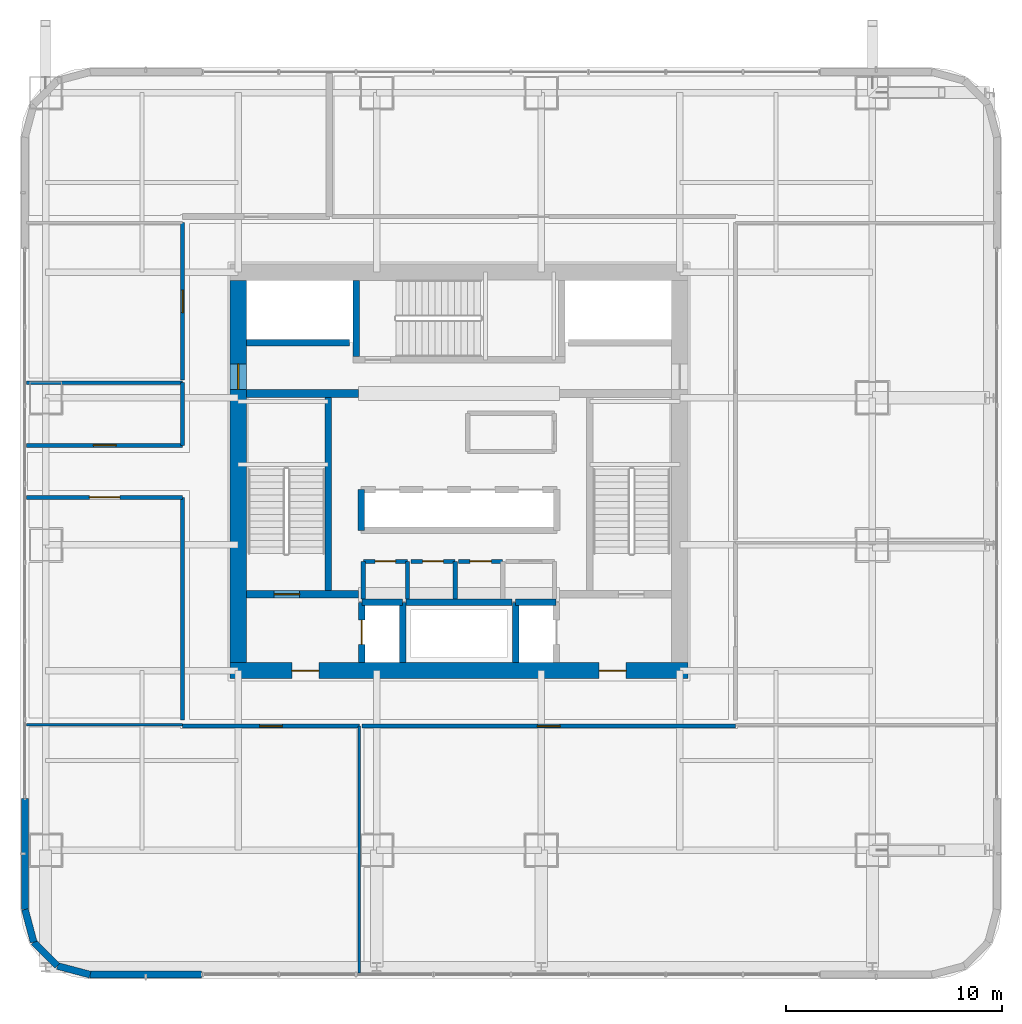
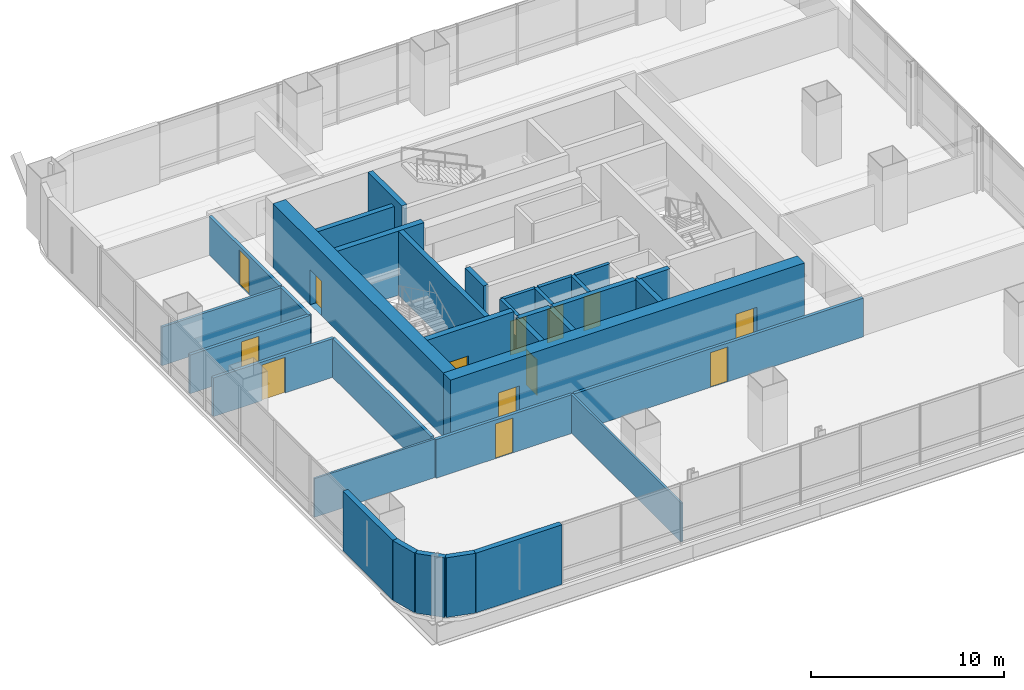
# One storey, part 28 of 42: 35 walls, 13 doors, 13 openings.
"""IFC4 building model written with IfcOpenShell, lengths in metres."""

from ifc_helpers import new_model, si_unit, direction, frame, frame_2d, origin, place, context, subcontext, project, spatial, rectangle, extrude, material, layer, layer_set, type_object, element, fill, save


model = new_model("IFC4")

# Units and contexts
model_context = context("Model", 3, precision=1e-05, world=origin(), true_north=direction((0.0, 1.0)))
body_context = subcontext(model_context, "Body", "Model", "MODEL_VIEW")
ifc_project = project(units=[si_unit("LENGTHUNIT", "METRE"), si_unit("AREAUNIT", "SQUARE_METRE"), si_unit("VOLUMEUNIT", "CUBIC_METRE"), si_unit("PLANEANGLEUNIT", "RADIAN"), si_unit("MASSUNIT", "GRAM", prefix="KILO")], contexts=[model_context])

# Site, building, storey
site_placement = place(None, origin())
site = spatial("IfcSite", under=ifc_project, at=site_placement, CompositionType="ELEMENT")
building_placement = place(site_placement, origin())
building = spatial("IfcBuilding", under=site, at=building_placement, Name="Punatoya Terracotta Tower", CompositionType="ELEMENT")
storey_placement = place(building_placement, frame((0.0, 0.0, 88.949951171875)))
storey = spatial("IfcBuildingStorey", under=building, at=storey_placement, Name="L20", CompositionType="ELEMENT", Elevation=88.949951171875)

# Wall, openings, doors
ifc_material_1 = material(Name="Concrete C60/75", Category="concrete")
ifc_layer_1 = layer(ifc_material_1, 0.75)
ifc_layer_set_1 = layer_set([ifc_layer_1], Name="Concrete C60/75")
wall_type_1 = type_object("IfcWallType", Name="WL-COR-750", PredefinedType="SHEAR", material=ifc_layer_set_1)
wall_1_placement = place(storey_placement, frame((10.574951171875, -9.199951171875, 0.0), z_axis=(0.0, 0.0, 1.0), x_axis=(-1.0, 0.0, 0.0)))
wall_1 = element("IfcWall", 1, at=wall_1_placement, inside=storey, type_object=wall_type_1, Name="L20 Core Shear Wall S", PredefinedType="SHEAR", context=body_context, shape_type="SweptSolid", body=[
    extrude(rectangle(XDim=21.14990234375, YDim=0.75, at=frame_2d((10.574951171875, 0.0))), origin(), (0.0, 0.0, 1.0), 4.050048828125),
])
opening_1_placement = place(wall_1_placement, frame((2.85009765625, 0.0, 0.0)))
opening_1 = element("IfcOpeningElement", 2, at=opening_1_placement, cuts=wall_1, Name="Opening FD-L1", PredefinedType="OPENING", context=body_context, shape_type="SweptSolid", body=[
    extrude(rectangle(XDim=1.25, YDim=2.25, at=frame_2d((0.625, 1.125))), frame((0.0, 0.385009765625, 0.0), z_axis=(0.0, -1.0, 0.0), x_axis=(1.0, 0.0, 0.0)), (0.0, 0.0, 1.0), 0.77001953125),
])
opening_2_placement = place(wall_1_placement, frame((17.050048828125, 0.0, 0.0)))
opening_2 = element("IfcOpeningElement", 3, at=opening_2_placement, cuts=wall_1, Name="Opening FD-L1", PredefinedType="OPENING", context=body_context, shape_type="SweptSolid", body=[
    extrude(rectangle(XDim=1.25, YDim=2.25, at=frame_2d((0.625, 1.125))), frame((0.0, 0.385009765625, 0.0), z_axis=(0.0, -1.0, 0.0), x_axis=(1.0, 0.0, 0.0)), (0.0, 0.0, 1.0), 0.77001953125),
])
ifc_material_2 = material(Name="Galvanised Steel Smokeproof Fire Door", Category="steel")
door_type_1 = type_object("IfcDoorType", Name="DR-FFL-1250", OperationType="NOTDEFINED", PredefinedType="DOOR", material=ifc_material_2)
door_1_placement = place(opening_1_placement, origin())
door_1 = element("IfcDoor", 4, at=door_1_placement, inside=storey, type_object=door_type_1, Name="L20 East Firefighting Lobby Corridor Fire Door", OperationType="SINGLE_SWING_LEFT", OverallHeight=2.25, OverallWidth=1.25, PredefinedType="DOOR", context=body_context, shape_type="SweptSolid", body=[
    extrude(rectangle(XDim=1.25, YDim=2.25, at=frame_2d((0.625, 1.125))), frame((0.0, 0.02490234375, 0.0), z_axis=(0.0, -1.0, 0.0), x_axis=(1.0, 0.0, 0.0)), (0.0, 0.0, 1.0), 0.050048828125),
])
fill(opening_1, door_1)
door_2_placement = place(opening_2_placement, origin())
door_2 = element("IfcDoor", 5, at=door_2_placement, inside=storey, type_object=door_type_1, Name="L20 West Firefighting Lobby Corridor Fire Door", OperationType="SINGLE_SWING_RIGHT", OverallHeight=2.25, OverallWidth=1.25, PredefinedType="DOOR", context=body_context, shape_type="SweptSolid", body=[
    extrude(rectangle(XDim=1.25, YDim=2.25, at=frame_2d((0.625, 1.125))), frame((0.0, 0.02490234375, 0.0), z_axis=(0.0, -1.0, 0.0), x_axis=(1.0, 0.0, 0.0)), (0.0, 0.0, 1.0), 0.050048828125),
])
fill(opening_2, door_2)

# Wall, opening, door
wall_2_placement = place(storey_placement, frame((-10.199951171875, -8.824951171875, 0.0), z_axis=(0.0, 0.0, 1.0), x_axis=(0.0, 1.0, 0.0)))
wall_2 = element("IfcWall", 6, at=wall_2_placement, inside=storey, type_object=wall_type_1, Name="L20 Core Shear Wall W", PredefinedType="SHEAR", context=body_context, shape_type="SweptSolid", body=[
    extrude(rectangle(XDim=17.64990234375, YDim=0.75, at=frame_2d((8.824951171875, 0.0))), origin(), (0.0, 0.0, 1.0), 4.050048828125),
])
opening_3_placement = place(wall_2_placement, frame((12.614990234375, 0.0, 0.0)))
opening_3 = element("IfcOpeningElement", 7, at=opening_3_placement, cuts=wall_2, Name="Opening SD-01", PredefinedType="OPENING", context=body_context, shape_type="SweptSolid", body=[
    extrude(rectangle(XDim=1.179931640625, YDim=2.199951171875, at=frame_2d((0.58984375, 1.10009765625))), frame((0.0, 0.385009765625, 0.0), z_axis=(0.0, -1.0, 0.0), x_axis=(1.0, 0.0, 0.0)), (0.0, 0.0, 1.0), 0.77001953125),
])
ifc_material_3 = material(Name="Galvanised Steel Pressurized Stair Fire Door", Category="steel")
door_type_2 = type_object("IfcDoorType", Name="DR-STR-1180", OperationType="NOTDEFINED", PredefinedType="DOOR", material=ifc_material_3)
door_3_placement = place(opening_3_placement, origin())
door_3 = element("IfcDoor", 8, at=door_3_placement, inside=storey, type_object=door_type_2, Name="L20 Central Lift Lobby West Fire Door", OperationType="SINGLE_SWING_LEFT", OverallHeight=2.199951171875, OverallWidth=1.179931640625, PredefinedType="DOOR", context=body_context, shape_type="SweptSolid", body=[
    extrude(rectangle(XDim=1.179931640625, YDim=2.199951171875, at=frame_2d((0.58984375, 1.10009765625))), frame((0.0, 0.02490234375, 0.0), z_axis=(0.0, -1.0, 0.0), x_axis=(1.0, 0.0, 0.0)), (0.0, 0.0, 1.0), 0.050048828125),
])
fill(opening_3, door_3)

ifc_material_4 = material(Name="Gypsum Fireboard + Steel Stud", Category="steel")
ifc_layer_2 = layer(ifc_material_4, 0.179931640625)
ifc_layer_set_2 = layer_set([ifc_layer_2], Name="Gypsum Fireboard + Steel Stud")
wall_type_2 = type_object("IfcWallType", Name="WL-CORR-180", PredefinedType="PARTITIONING", material=ifc_layer_set_2)
wall_3_placement = place(storey_placement, frame((-12.77001953125, -11.77001953125, 0.0), z_axis=(0.0, 0.0, 1.0), x_axis=(1.0, 0.0, 0.0)))
wall_3 = element("IfcWall", 9, at=wall_3_placement, inside=storey, type_object=wall_type_2, Name="L20 Staff Wellness Studio Partition 15", PredefinedType="PARTITIONING", context=body_context, shape_type="SweptSolid", body=[
    extrude(rectangle(XDim=8.1650390625, YDim=0.179931640625, at=frame_2d((4.08251953125, 0.0))), origin(), (0.0, 0.0, 1.0), 2.444091796875),
])
opening_4_placement = place(wall_3_placement, frame((3.5576171875, 0.0, 0.0)))
opening_4 = element("IfcOpeningElement", 10, at=opening_4_placement, cuts=wall_3, Name="Opening OD-01", PredefinedType="OPENING", context=body_context, shape_type="SweptSolid", body=[
    extrude(rectangle(XDim=1.050048828125, YDim=2.199951171875, at=frame_2d((0.52490234375, 1.10009765625))), frame((0.0, 0.099853515625, 0.0), z_axis=(0.0, -1.0, 0.0), x_axis=(1.0, 0.0, 0.0)), (0.0, 0.0, 1.0), 0.199951171875),
])
ifc_material_5 = material(Name="Bengal Teak Solid-Core Leaf")
door_type_3 = type_object("IfcDoorType", Name="DR-OFF-1050", OperationType="NOTDEFINED", PredefinedType="DOOR", material=ifc_material_5)
door_4_placement = place(opening_4_placement, origin())
door_4 = element("IfcDoor", 11, at=door_4_placement, inside=storey, type_object=door_type_3, Name="L20 Staff Wellness Studio Door", OperationType="SINGLE_SWING_LEFT", OverallHeight=2.199951171875, OverallWidth=1.050048828125, PredefinedType="DOOR", context=body_context, shape_type="SweptSolid", body=[
    extrude(rectangle(XDim=1.050048828125, YDim=2.199951171875, at=frame_2d((0.52490234375, 1.10009765625))), frame((0.0, 0.02490234375, 0.0), z_axis=(0.0, -1.0, 0.0), x_axis=(1.0, 0.0, 0.0)), (0.0, 0.0, 1.0), 0.050048828125),
])
fill(opening_4, door_4)

wall_4_placement = place(storey_placement, frame((-4.485107421875, -11.77001953125, 0.0), z_axis=(0.0, 0.0, 1.0), x_axis=(1.0, 0.0, 0.0)))
wall_4 = element("IfcWall", 12, at=wall_4_placement, inside=storey, type_object=wall_type_2, Name="L20 Occupational Rest Lounge Partition 18", PredefinedType="PARTITIONING", context=body_context, shape_type="SweptSolid", body=[
    extrude(rectangle(XDim=17.255126953125, YDim=0.179931640625, at=frame_2d((8.62744140625, 0.0))), origin(), (0.0, 0.0, 1.0), 2.444091796875),
])
opening_5_placement = place(wall_4_placement, frame((8.1025390625, 0.0, 0.0)))
opening_5 = element("IfcOpeningElement", 13, at=opening_5_placement, cuts=wall_4, Name="Opening OD-01", PredefinedType="OPENING", context=body_context, shape_type="SweptSolid", body=[
    extrude(rectangle(XDim=1.050048828125, YDim=2.199951171875, at=frame_2d((0.52490234375, 1.10009765625))), frame((0.0, 0.099853515625, 0.0), z_axis=(0.0, -1.0, 0.0), x_axis=(1.0, 0.0, 0.0)), (0.0, 0.0, 1.0), 0.199951171875),
])
door_5_placement = place(opening_5_placement, origin())
door_5 = element("IfcDoor", 14, at=door_5_placement, inside=storey, type_object=door_type_3, Name="L20 Occupational Rest Lounge Door", OperationType="SINGLE_SWING_RIGHT", OverallHeight=2.199951171875, OverallWidth=1.050048828125, PredefinedType="DOOR", context=body_context, shape_type="SweptSolid", body=[
    extrude(rectangle(XDim=1.050048828125, YDim=2.199951171875, at=frame_2d((0.52490234375, 1.10009765625))), frame((0.0, 0.02490234375, 0.0), z_axis=(0.0, -1.0, 0.0), x_axis=(1.0, 0.0, 0.0)), (0.0, 0.0, 1.0), 0.050048828125),
])
fill(opening_5, door_5)

wall_5_placement = place(storey_placement, frame((-19.969970703125, -1.199951171875, 0.0), z_axis=(0.0, 0.0, 1.0), x_axis=(1.0, 0.0, 0.0)))
wall_5 = element("IfcWall", 15, at=wall_5_placement, inside=storey, type_object=wall_type_2, Name="L20 Open-Plan Leadership Training Classroom Partition 21", PredefinedType="PARTITIONING", context=body_context, shape_type="SweptSolid", body=[
    extrude(rectangle(XDim=7.199951171875, YDim=0.179931640625, at=frame_2d((3.60009765625, 0.0))), origin(), (0.0, 0.0, 1.0), 2.444091796875),
])
opening_6_placement = place(wall_5_placement, frame((2.89990234375, 0.0, 0.0)))
opening_6 = element("IfcOpeningElement", 16, at=opening_6_placement, cuts=wall_5, Name="Opening BD-01", PredefinedType="OPENING", context=body_context, shape_type="SweptSolid", body=[
    extrude(rectangle(XDim=1.39990234375, YDim=2.25, at=frame_2d((0.699951171875, 1.125))), frame((0.0, 0.099853515625, 0.0), z_axis=(0.0, -1.0, 0.0), x_axis=(1.0, 0.0, 0.0)), (0.0, 0.0, 1.0), 0.199951171875),
])
ifc_material_6 = material(Name="Bengal Teak Acoustic Leaf")
door_type_4 = type_object("IfcDoorType", Name="DR-BRD-1400", OperationType="NOTDEFINED", PredefinedType="DOOR", material=ifc_material_6)
door_6_placement = place(opening_6_placement, origin())
door_6 = element("IfcDoor", 17, at=door_6_placement, inside=storey, type_object=door_type_4, Name="L20 Open-Plan Leadership Training Classroom Door", OperationType="SINGLE_SWING_RIGHT", OverallHeight=2.25, OverallWidth=1.39990234375, PredefinedType="DOOR", context=body_context, shape_type="SweptSolid", body=[
    extrude(rectangle(XDim=1.39990234375, YDim=2.25, at=frame_2d((0.699951171875, 1.125))), frame((0.0, 0.02490234375, 0.0), z_axis=(0.0, -1.0, 0.0), x_axis=(1.0, 0.0, 0.0)), (0.0, 0.0, 1.0), 0.050048828125),
])
fill(opening_6, door_6)

# Wall
wall_6_placement = place(storey_placement, frame((-12.77001953125, -1.199951171875, 0.0), z_axis=(0.0, 0.0, 1.0), x_axis=(0.0, -1.0, 0.0)))
element("IfcWall", 18, at=wall_6_placement, inside=storey, type_object=wall_type_2, Name="L20 Open-Plan Leadership Training Classroom Partition 22", PredefinedType="PARTITIONING", context=body_context, shape_type="SweptSolid", body=[
    extrude(rectangle(XDim=10.2900390625, YDim=0.179931640625, at=frame_2d((5.14501953125, 0.0))), origin(), (0.0, 0.0, 1.0), 2.444091796875),
])

# Wall, opening, door
wall_7_placement = place(storey_placement, frame((-12.77001953125, 1.199951171875, 0.0), z_axis=(0.0, 0.0, 1.0), x_axis=(-1.0, 0.0, 0.0)))
wall_7 = element("IfcWall", 19, at=wall_7_placement, inside=storey, type_object=wall_type_2, Name="L20 Open-Plan Nutrition Tea Pantry Partition 23", PredefinedType="PARTITIONING", context=body_context, shape_type="SweptSolid", body=[
    extrude(rectangle(XDim=7.199951171875, YDim=0.179931640625, at=frame_2d((3.60009765625, 0.0))), origin(), (0.0, 0.0, 1.0), 2.444091796875),
])
opening_7_placement = place(wall_7_placement, frame((3.074951171875, 0.0, 0.0)))
opening_7 = element("IfcOpeningElement", 20, at=opening_7_placement, cuts=wall_7, Name="Opening OD-01", PredefinedType="OPENING", context=body_context, shape_type="SweptSolid", body=[
    extrude(rectangle(XDim=1.050048828125, YDim=2.199951171875, at=frame_2d((0.52490234375, 1.10009765625))), frame((0.0, 0.099853515625, 0.0), z_axis=(0.0, -1.0, 0.0), x_axis=(1.0, 0.0, 0.0)), (0.0, 0.0, 1.0), 0.199951171875),
])
door_7_placement = place(opening_7_placement, origin())
door_7 = element("IfcDoor", 21, at=door_7_placement, inside=storey, type_object=door_type_3, Name="L20 Open-Plan Nutrition Tea Pantry Door", OperationType="SINGLE_SWING_LEFT", OverallHeight=2.199951171875, OverallWidth=1.050048828125, PredefinedType="DOOR", context=body_context, shape_type="SweptSolid", body=[
    extrude(rectangle(XDim=1.050048828125, YDim=2.199951171875, at=frame_2d((0.52490234375, 1.10009765625))), frame((0.0, 0.02490234375, 0.0), z_axis=(0.0, -1.0, 0.0), x_axis=(1.0, 0.0, 0.0)), (0.0, 0.0, 1.0), 0.050048828125),
])
fill(opening_7, door_7)

# Wall
wall_8_placement = place(storey_placement, frame((-12.77001953125, 4.097900390625, 0.0), z_axis=(0.0, 0.0, 1.0), x_axis=(0.0, -1.0, 0.0)))
element("IfcWall", 22, at=wall_8_placement, inside=storey, type_object=wall_type_2, Name="L20 Open-Plan Nutrition Tea Pantry Partition 25", PredefinedType="PARTITIONING", context=body_context, shape_type="SweptSolid", body=[
    extrude(rectangle(XDim=2.89794921875, YDim=0.179931640625, at=frame_2d((1.448974609375, 0.0))), origin(), (0.0, 0.0, 1.0), 2.444091796875),
])

# Wall, opening, door
wall_9_placement = place(storey_placement, frame((-12.77001953125, 11.489990234375, 0.0), z_axis=(0.0, 0.0, 1.0), x_axis=(0.0, -1.0, 0.0)))
wall_9 = element("IfcWall", 23, at=wall_9_placement, inside=storey, type_object=wall_type_2, Name="L20 Cultural Reading Library Partition 29", PredefinedType="PARTITIONING", context=body_context, shape_type="SweptSolid", body=[
    extrude(rectangle(XDim=7.27197265625, YDim=0.179931640625, at=frame_2d((3.635986328125, 0.0))), origin(), (0.0, 0.0, 1.0), 2.444091796875),
])
opening_8_placement = place(wall_9_placement, frame((3.111083984375, 0.0, 0.0)))
opening_8 = element("IfcOpeningElement", 24, at=opening_8_placement, cuts=wall_9, Name="Opening OD-01", PredefinedType="OPENING", context=body_context, shape_type="SweptSolid", body=[
    extrude(rectangle(XDim=1.050048828125, YDim=2.199951171875, at=frame_2d((0.52490234375, 1.10009765625))), frame((0.0, 0.099853515625, 0.0), z_axis=(0.0, -1.0, 0.0), x_axis=(1.0, 0.0, 0.0)), (0.0, 0.0, 1.0), 0.199951171875),
])
door_8_placement = place(opening_8_placement, origin())
door_8 = element("IfcDoor", 25, at=door_8_placement, inside=storey, type_object=door_type_3, Name="L20 Cultural Reading Library Door", OperationType="SINGLE_SWING_LEFT", OverallHeight=2.199951171875, OverallWidth=1.050048828125, PredefinedType="DOOR", context=body_context, shape_type="SweptSolid", body=[
    extrude(rectangle(XDim=1.050048828125, YDim=2.199951171875, at=frame_2d((0.52490234375, 1.10009765625))), frame((0.0, 0.02490234375, 0.0), z_axis=(0.0, -1.0, 0.0), x_axis=(1.0, 0.0, 0.0)), (0.0, 0.0, 1.0), 0.050048828125),
])
fill(opening_8, door_8)

# Walls
ifc_material_7 = material(Name="Precast concrete C40/50", Category="concrete")
ifc_layer_3 = layer(ifc_material_7, 0.320068359375)
ifc_layer_set_3 = layer_set([ifc_layer_3], Name="Precast concrete C40/50")
wall_type_3 = type_object("IfcWallType", Name="WL-EXT-320", PredefinedType="SOLIDWALL", material=ifc_layer_set_3)
wall_10_placement = place(storey_placement, frame((-17.036865234375, -23.25, 0.0), z_axis=(0.0, 0.0, 1.0), x_axis=(1.0, 0.0, 0.0)))
element("IfcWall", 26, at=wall_10_placement, inside=storey, type_object=wall_type_3, Name="L20 Terracotta Braced Facade Wall S1", PredefinedType="SOLIDWALL", context=body_context, shape_type="SweptSolid", body=[
    extrude(rectangle(XDim=5.136962890625, YDim=0.320068359375, at=frame_2d((2.568359375, 0.0))), origin(), (0.0, 0.0, 1.0), 3.77001953125),
])
wall_11_placement = place(storey_placement, frame((-20.050048828125, -15.10009765625, 0.0), z_axis=(0.0, 0.0, 1.0), x_axis=(0.0, -1.0, 0.0)))
element("IfcWall", 27, at=wall_11_placement, inside=storey, type_object=wall_type_3, Name="L20 Terracotta Braced Facade Wall W2", PredefinedType="SOLIDWALL", context=body_context, shape_type="SweptSolid", body=[
    extrude(rectangle(XDim=5.13671875, YDim=0.320068359375, at=frame_2d((2.568359375, 0.0))), origin(), (0.0, 0.0, 1.0), 3.77001953125),
])
wall_12_placement = place(storey_placement, frame((-20.050048828125, -20.23681640625, 0.0), z_axis=(0.0, 0.0, 1.0), x_axis=(0.257847112249, -0.966185730957, 0.0)))
element("IfcWall", 28, at=wall_12_placement, inside=storey, type_object=wall_type_3, Name="L20 Rounded Terracotta Corner Pier 14", PredefinedType="SOLIDWALL", context=body_context, shape_type="SweptSolid", body=[
    extrude(rectangle(XDim=1.565185546875, YDim=0.320068359375, at=frame_2d((0.78271484375, 0.0))), origin(), (0.0, 0.0, 1.0), 3.77001953125),
])
wall_13_placement = place(storey_placement, frame((-19.646484375, -21.7490234375, 0.0), z_axis=(0.0, 0.0, 1.0), x_axis=(0.707028130747, -0.707185422879, 0.0)))
element("IfcWall", 29, at=wall_13_placement, inside=storey, type_object=wall_type_3, Name="L20 Rounded Terracotta Corner Pier 15", PredefinedType="SOLIDWALL", context=body_context, shape_type="SweptSolid", body=[
    extrude(rectangle(XDim=1.55224609375, YDim=0.320068359375, at=frame_2d((0.776123046875, 0.0))), origin(), (0.0, 0.0, 1.0), 3.77001953125),
])
wall_14_placement = place(storey_placement, frame((-18.549072265625, -22.8466796875, 0.0), z_axis=(0.0, 0.0, 1.0), x_axis=(0.966224582397, -0.257701486942, 0.0)))
element("IfcWall", 30, at=wall_14_placement, inside=storey, type_object=wall_type_3, Name="L20 Rounded Terracotta Corner Pier 16", PredefinedType="SOLIDWALL", context=body_context, shape_type="SweptSolid", body=[
    extrude(rectangle(XDim=1.565185546875, YDim=0.320068359375, at=frame_2d((0.78271484375, 0.0))), origin(), (0.0, 0.0, 1.0), 3.77001953125),
])
ifc_material_8 = material(Name="Concrete C40/50", Category="concrete")
ifc_layer_4 = layer(ifc_material_8, 0.199951171875)
ifc_layer_set_4 = layer_set([ifc_layer_4], Name="Concrete C40/50")
wall_type_4 = type_object("IfcWallType", Name="WL-INT-200", PredefinedType="SOLIDWALL", material=ifc_layer_set_4)
wall_15_placement = place(storey_placement, frame((-2.3798828125, -5.89990234375, 0.0), z_axis=(0.0, 0.0, 1.0), x_axis=(0.0, 1.0, 0.0)))
element("IfcWall", 31, at=wall_15_placement, inside=storey, type_object=wall_type_4, Name="L20 Male Washroom Partition 01", PredefinedType="SOLIDWALL", context=body_context, shape_type="SweptSolid", body=[
    extrude(rectangle(XDim=1.739990234375, YDim=0.199951171875, at=frame_2d((0.8701171875, 0.0))), origin(), (0.0, 0.0, 1.0), 3.77001953125),
])

# Wall, opening, door
wall_16_placement = place(storey_placement, frame((-2.3798828125, -4.159912109375, 0.0), z_axis=(0.0, 0.0, 1.0), x_axis=(-1.0, 0.0, 0.0)))
wall_16 = element("IfcWall", 32, at=wall_16_placement, inside=storey, type_object=wall_type_4, Name="L20 Male Washroom Partition 02", PredefinedType="SOLIDWALL", context=body_context, shape_type="SweptSolid", body=[
    extrude(rectangle(XDim=2.0400390625, YDim=0.199951171875, at=frame_2d((1.02001953125, 0.0))), origin(), (0.0, 0.0, 1.0), 3.77001953125),
])
opening_9_placement = place(wall_16_placement, frame((0.544921875, 0.0, 0.0)))
opening_9 = element("IfcOpeningElement", 33, at=opening_9_placement, cuts=wall_16, Name="Opening WD-01", PredefinedType="OPENING", context=body_context, shape_type="SweptSolid", body=[
    extrude(rectangle(XDim=0.949951171875, YDim=2.14990234375, at=frame_2d((0.47509765625, 1.074951171875))), frame((0.0, 0.10986328125, 0.0), z_axis=(0.0, -1.0, 0.0), x_axis=(1.0, 0.0, 0.0)), (0.0, 0.0, 1.0), 0.219970703125),
])
ifc_material_9 = material(Name="Moisture-Resistant Laminate Timber Leaf", Category="wood")
door_type_5 = type_object("IfcDoorType", Name="DR-WC-950", OperationType="NOTDEFINED", PredefinedType="DOOR", material=ifc_material_9)
door_9_placement = place(opening_9_placement, origin())
door_9 = element("IfcDoor", 34, at=door_9_placement, inside=storey, type_object=door_type_5, Name="L20 Male Washroom Door", OperationType="SINGLE_SWING_RIGHT", OverallHeight=2.14990234375, OverallWidth=0.949951171875, PredefinedType="DOOR", context=body_context, shape_type="SweptSolid", body=[
    extrude(rectangle(XDim=0.949951171875, YDim=2.14990234375, at=frame_2d((0.47509765625, 1.074951171875))), frame((0.0, 0.02490234375, 0.0), z_axis=(0.0, -1.0, 0.0), x_axis=(1.0, 0.0, 0.0)), (0.0, 0.0, 1.0), 0.050048828125),
])
fill(opening_9, door_9)

# Walls
for number, where, z_axis, x_axis, name in (
    (35, (-4.419921875, -4.159912109375, 0.0), (0.0, 0.0, 1.0), (0.0, -1.0, 0.0), "L20 Male Washroom Partition 03"),
    (36, (-0.179931640625, -5.89990234375, 0.0), (0.0, 0.0, 1.0), (0.0, 1.0, 0.0), "L20 Female Washroom Partition 04"),
):
    element("IfcWall", number, at=place(storey_placement, frame(where, z_axis=z_axis, x_axis=x_axis)), inside=storey, type_object=wall_type_4, Name=name, PredefinedType="SOLIDWALL", context=body_context, shape_type="SweptSolid", body=[
        extrude(rectangle(XDim=1.739990234375, YDim=0.199951171875, at=frame_2d((0.8701171875, 0.0))), origin(), (0.0, 0.0, 1.0), 3.77001953125),
    ])

# Wall, opening, door
wall_17_placement = place(storey_placement, frame((-0.179931640625, -4.159912109375, 0.0), z_axis=(0.0, 0.0, 1.0), x_axis=(-1.0, 0.0, 0.0)))
wall_17 = element("IfcWall", 37, at=wall_17_placement, inside=storey, type_object=wall_type_4, Name="L20 Female Washroom Partition 05", PredefinedType="SOLIDWALL", context=body_context, shape_type="SweptSolid", body=[
    extrude(rectangle(XDim=2.0400390625, YDim=0.199951171875, at=frame_2d((1.02001953125, 0.0))), origin(), (0.0, 0.0, 1.0), 3.77001953125),
])
opening_10_placement = place(wall_17_placement, frame((0.544921875, 0.0, 0.0)))
opening_10 = element("IfcOpeningElement", 38, at=opening_10_placement, cuts=wall_17, Name="Opening WD-01", PredefinedType="OPENING", context=body_context, shape_type="SweptSolid", body=[
    extrude(rectangle(XDim=0.949951171875, YDim=2.14990234375, at=frame_2d((0.47509765625, 1.074951171875))), frame((0.0, 0.10986328125, 0.0), z_axis=(0.0, -1.0, 0.0), x_axis=(1.0, 0.0, 0.0)), (0.0, 0.0, 1.0), 0.219970703125),
])
door_10_placement = place(opening_10_placement, origin())
door_10 = element("IfcDoor", 39, at=door_10_placement, inside=storey, type_object=door_type_5, Name="L20 Female Washroom Door", OperationType="SINGLE_SWING_LEFT", OverallHeight=2.14990234375, OverallWidth=0.949951171875, PredefinedType="DOOR", context=body_context, shape_type="SweptSolid", body=[
    extrude(rectangle(XDim=0.949951171875, YDim=2.14990234375, at=frame_2d((0.47509765625, 1.074951171875))), frame((0.0, 0.02490234375, 0.0), z_axis=(0.0, -1.0, 0.0), x_axis=(1.0, 0.0, 0.0)), (0.0, 0.0, 1.0), 0.050048828125),
])
fill(opening_10, door_10)

wall_18_placement = place(storey_placement, frame((2.02001953125, -4.159912109375, 0.0), z_axis=(0.0, 0.0, 1.0), x_axis=(-1.0, 0.0, 0.0)))
wall_18 = element("IfcWall", 40, at=wall_18_placement, inside=storey, type_object=wall_type_4, Name="L20 Accessible Universal Washroom Partition 07", PredefinedType="SOLIDWALL", context=body_context, shape_type="SweptSolid", body=[
    extrude(rectangle(XDim=2.0400390625, YDim=0.199951171875, at=frame_2d((1.02001953125, 0.0))), origin(), (0.0, 0.0, 1.0), 3.77001953125),
])
opening_11_placement = place(wall_18_placement, frame((0.52001953125, 0.0, 0.0)))
opening_11 = element("IfcOpeningElement", 41, at=opening_11_placement, cuts=wall_18, Name="Opening AWD-1", PredefinedType="OPENING", context=body_context, shape_type="SweptSolid", body=[
    extrude(rectangle(XDim=1.0, YDim=2.14990234375, at=frame_2d((0.5, 1.074951171875))), frame((0.0, 0.10986328125, 0.0), z_axis=(0.0, -1.0, 0.0), x_axis=(1.0, 0.0, 0.0)), (0.0, 0.0, 1.0), 0.219970703125),
])
ifc_material_10 = material(Name="Bengal Teak Accessible WC Leaf")
door_type_6 = type_object("IfcDoorType", Name="DR-ACC-1000", OperationType="NOTDEFINED", PredefinedType="DOOR", material=ifc_material_10)
door_11_placement = place(opening_11_placement, origin())
door_11 = element("IfcDoor", 42, at=door_11_placement, inside=storey, type_object=door_type_6, Name="L20 Accessible Universal Washroom Door", OperationType="SINGLE_SWING_RIGHT", OverallHeight=2.14990234375, OverallWidth=1.0, PredefinedType="DOOR", context=body_context, shape_type="SweptSolid", body=[
    extrude(rectangle(XDim=1.0, YDim=2.14990234375, at=frame_2d((0.5, 1.074951171875))), frame((0.0, 0.02490234375, 0.0), z_axis=(0.0, -1.0, 0.0), x_axis=(1.0, 0.0, 0.0)), (0.0, 0.0, 1.0), 0.050048828125),
])
fill(opening_11, door_11)

# Walls
ifc_material_11 = material(Name="Gypsum Partition + Steel Stud", Category="steel")
ifc_layer_5 = layer(ifc_material_11, 0.1201171875)
ifc_layer_set_5 = layer_set([ifc_layer_5], Name="Gypsum Partition + Steel Stud")
wall_type_5 = type_object("IfcWallType", Name="WL-OFF-120", PredefinedType="PARTITIONING", material=ifc_layer_set_5)
wall_19_placement = place(storey_placement, frame((-19.969970703125, -11.7099609375, 0.0), z_axis=(0.0, 0.0, 1.0), x_axis=(1.0, 0.0, 0.0)))
element("IfcWall", 43, at=wall_19_placement, inside=storey, type_object=wall_type_5, Name="L20 Staff Wellness Studio Partition 14", PredefinedType="PARTITIONING", context=body_context, shape_type="SweptSolid", body=[
    extrude(rectangle(XDim=7.199951171875, YDim=0.1201171875, at=frame_2d((3.60009765625, 0.0))), origin(), (0.0, 0.0, 1.0), 2.444091796875),
])
wall_20_placement = place(storey_placement, frame((-4.60498046875, -11.77001953125, 0.0), z_axis=(0.0, 0.0, 1.0), x_axis=(0.0, -1.0, 0.0)))
element("IfcWall", 44, at=wall_20_placement, inside=storey, type_object=wall_type_5, Name="L20 Staff Wellness Studio Partition 16", PredefinedType="PARTITIONING", context=body_context, shape_type="SweptSolid", body=[
    extrude(rectangle(XDim=11.39990234375, YDim=0.1201171875, at=frame_2d((5.699951171875, 0.0))), origin(), (0.0, 0.0, 1.0), 2.444091796875),
])
ifc_layer_6 = layer(ifc_material_8, 0.300048828125)
ifc_layer_set_6 = layer_set([ifc_layer_6], Name="Concrete C40/50")
wall_type_6 = type_object("IfcWallType", Name="WL-SHF-300", PredefinedType="SOLIDWALL", material=ifc_layer_set_6)
wall_21_placement = place(storey_placement, frame((-6.050048828125, -5.5, 0.0), z_axis=(0.0, 0.0, 1.0), x_axis=(0.0, 1.0, 0.0)))
element("IfcWall", 45, at=wall_21_placement, inside=storey, type_object=wall_type_6, Name="L20 Structural Stair Shaft Wall SW-ST1-E", PredefinedType="SOLIDWALL", context=body_context, shape_type="SweptSolid", body=[
    extrude(rectangle(XDim=8.949951171875, YDim=0.300048828125, at=frame_2d((4.47509765625, 0.0))), origin(), (0.0, 0.0, 1.0), 4.050048828125),
])
wall_22_placement = place(storey_placement, frame((-4.75, 5.300048828125, 0.0), z_axis=(0.0, 0.0, 1.0), x_axis=(0.0, 1.0, 0.0)))
element("IfcWall", 46, at=wall_22_placement, inside=storey, type_object=wall_type_6, Name="L20 Structural Stair Shaft Wall SW-ST3-W", PredefinedType="SOLIDWALL", context=body_context, shape_type="SweptSolid", body=[
    extrude(rectangle(XDim=3.52490234375, YDim=0.300048828125, at=frame_2d((1.762451171875, 0.0))), origin(), (0.0, 0.0, 1.0), 4.050048828125),
])

# Wall, opening, door
wall_23_placement = place(storey_placement, frame((-4.489990234375, -8.820068359375, 0.0), z_axis=(0.0, 0.0, 1.0), x_axis=(0.0, 1.0, 0.0)))
wall_23 = element("IfcWall", 47, at=wall_23_placement, inside=storey, type_object=wall_type_6, Name="L20 FFL-1 Front Hoistway Wall", PredefinedType="SOLIDWALL", context=body_context, shape_type="SweptSolid", body=[
    extrude(rectangle(XDim=2.77001953125, YDim=0.300048828125, at=frame_2d((1.385009765625, 0.0))), origin(), (0.0, 0.0, 1.0), 3.77001953125),
])
opening_12_placement = place(wall_23_placement, frame((0.824951171875, 0.0, 0.0)))
opening_12 = element("IfcOpeningElement", 48, at=opening_12_placement, cuts=wall_23, Name="Opening LD-02", PredefinedType="OPENING", context=body_context, shape_type="SweptSolid", body=[
    extrude(rectangle(XDim=1.1201171875, YDim=2.25, at=frame_2d((0.56005859375, 1.125))), frame((0.0, 0.159912109375, 0.0), z_axis=(0.0, -1.0, 0.0), x_axis=(1.0, 0.0, 0.0)), (0.0, 0.0, 1.0), 0.320068359375),
])
ifc_material_12 = material(Name="Stainless Steel Lift Landing Door", Category="steel")
door_type_7 = type_object("IfcDoorType", Name="DR-LND-1120", OperationType="NOTDEFINED", PredefinedType="DOOR", material=ifc_material_12)
door_12_placement = place(opening_12_placement, origin())
door_12 = element("IfcDoor", 49, at=door_12_placement, inside=storey, type_object=door_type_7, Name="L20 Firefighting Lift FFL-1 Sliding Landing Door", OperationType="SLIDING_TO_LEFT", OverallHeight=2.25, OverallWidth=1.1201171875, PredefinedType="DOOR", context=body_context, shape_type="SweptSolid", body=[
    extrude(rectangle(XDim=1.1201171875, YDim=2.25, at=frame_2d((0.56005859375, 1.125))), frame((0.0, 0.02490234375, 0.0), z_axis=(0.0, -1.0, 0.0), x_axis=(1.0, 0.0, 0.0)), (0.0, 0.0, 1.0), 0.050048828125),
])
fill(opening_12, door_12)

# Walls
wall_24_placement = place(storey_placement, frame((-2.610107421875, -8.820068359375, 0.0), z_axis=(0.0, 0.0, 1.0), x_axis=(0.0, 1.0, 0.0)))
element("IfcWall", 50, at=wall_24_placement, inside=storey, type_object=wall_type_6, Name="L20 FFL-1 Rear Hoistway Wall", PredefinedType="SOLIDWALL", context=body_context, shape_type="SweptSolid", body=[
    extrude(rectangle(XDim=2.77001953125, YDim=0.300048828125, at=frame_2d((1.385009765625, 0.0))), origin(), (0.0, 0.0, 1.0), 3.77001953125),
])
wall_25_placement = place(storey_placement, frame((-4.489990234375, -6.050048828125, 0.0), z_axis=(0.0, 0.0, 1.0), x_axis=(1.0, 0.0, 0.0)))
element("IfcWall", 51, at=wall_25_placement, inside=storey, type_object=wall_type_6, Name="L20 FFL-1 North Hoistway Wall", PredefinedType="SOLIDWALL", context=body_context, shape_type="SweptSolid", body=[
    extrude(rectangle(XDim=1.8798828125, YDim=0.300048828125, at=frame_2d((0.93994140625, 0.0))), origin(), (0.0, 0.0, 1.0), 3.77001953125),
])
wall_26_placement = place(storey_placement, frame((2.610107421875, -8.820068359375, 0.0), z_axis=(0.0, 0.0, 1.0), x_axis=(0.0, 1.0, 0.0)))
element("IfcWall", 52, at=wall_26_placement, inside=storey, type_object=wall_type_6, Name="L20 FFL-2 Rear Hoistway Wall", PredefinedType="SOLIDWALL", context=body_context, shape_type="SweptSolid", body=[
    extrude(rectangle(XDim=2.77001953125, YDim=0.300048828125, at=frame_2d((1.385009765625, 0.0))), origin(), (0.0, 0.0, 1.0), 3.77001953125),
])
for number, where, z_axis, x_axis, name in (
    (53, (2.610107421875, -6.050048828125, 0.0), (0.0, 0.0, 1.0), (1.0, 0.0, 0.0), "L20 FFL-2 North Hoistway Wall"),
    (54, (-4.52001953125, -2.719970703125, 0.0), (0.0, 0.0, 1.0), (0.0, 1.0, 0.0), "L20 South Lift Bank West End Wall"),
):
    element("IfcWall", number, at=place(storey_placement, frame(where, z_axis=z_axis, x_axis=x_axis)), inside=storey, type_object=wall_type_6, Name=name, PredefinedType="SOLIDWALL", context=body_context, shape_type="SweptSolid", body=[
        extrude(rectangle(XDim=1.8798828125, YDim=0.300048828125, at=frame_2d((0.93994140625, 0.0))), origin(), (0.0, 0.0, 1.0), 3.77001953125),
    ])
wall_27_placement = place(storey_placement, frame((-9.820068359375, 5.949951171875, 0.0), z_axis=(0.0, 0.0, 1.0), x_axis=(1.0, 0.0, 0.0)))
element("IfcWall", 55, at=wall_27_placement, inside=storey, type_object=wall_type_6, Name="L20 Shuttle SL-1 South Hoistway Wall", PredefinedType="SOLIDWALL", context=body_context, shape_type="SweptSolid", body=[
    extrude(rectangle(XDim=4.760009765625, YDim=0.300048828125, at=frame_2d((2.3798828125, 0.0))), origin(), (0.0, 0.0, 1.0), 3.77001953125),
])
wall_28_placement = place(storey_placement, frame((-2.449951171875, -6.050048828125, 0.0), z_axis=(0.0, 0.0, 1.0), x_axis=(1.0, 0.0, 0.0)))
element("IfcWall", 56, at=wall_28_placement, inside=storey, type_object=wall_type_6, Name="L20 Observation Shuttle Rear Hoistway Wall", PredefinedType="SOLIDWALL", context=body_context, shape_type="SweptSolid", body=[
    extrude(rectangle(XDim=4.89990234375, YDim=0.300048828125, at=frame_2d((2.449951171875, 0.0))), origin(), (0.0, 0.0, 1.0), 3.77001953125),
])

# Wall, opening, door
ifc_material_13 = material(Name="Concrete C50/60", Category="concrete")
ifc_layer_7 = layer(ifc_material_13, 0.35009765625)
ifc_layer_set_7 = layer_set([ifc_layer_7], Name="Concrete C50/60")
wall_type_7 = type_object("IfcWallType", Name="WL-SHF-350", PredefinedType="SOLIDWALL", material=ifc_layer_set_7)
wall_29_placement = place(storey_placement, frame((-9.824951171875, -5.679931640625, 0.0), z_axis=(0.0, 0.0, 1.0), x_axis=(1.0, 0.0, 0.0)))
wall_29 = element("IfcWall", 57, at=wall_29_placement, inside=storey, type_object=wall_type_7, Name="L20 Core Web Wall CSW-L", PredefinedType="SOLIDWALL", context=body_context, shape_type="SweptSolid", body=[
    extrude(rectangle(XDim=5.175048828125, YDim=0.35009765625, at=frame_2d((2.58740234375, 0.0))), origin(), (0.0, 0.0, 1.0), 4.050048828125),
])
opening_13_placement = place(wall_29_placement, frame((1.284912109375, 0.0, 0.0)))
opening_13 = element("IfcOpeningElement", 58, at=opening_13_placement, cuts=wall_29, Name="Opening SD-01", PredefinedType="OPENING", context=body_context, shape_type="SweptSolid", body=[
    extrude(rectangle(XDim=1.179931640625, YDim=2.199951171875, at=frame_2d((0.58984375, 1.10009765625))), frame((0.0, 0.18505859375, 0.0), z_axis=(0.0, -1.0, 0.0), x_axis=(1.0, 0.0, 0.0)), (0.0, 0.0, 1.0), 0.3701171875),
])
door_13_placement = place(opening_13_placement, origin())
door_13 = element("IfcDoor", 59, at=door_13_placement, inside=storey, type_object=door_type_2, Name="L20 Stair ST-1 Smokeproof Lobby Fire Door", OperationType="SINGLE_SWING_LEFT", OverallHeight=2.199951171875, OverallWidth=1.179931640625, PredefinedType="DOOR", context=body_context, shape_type="SweptSolid", body=[
    extrude(rectangle(XDim=1.179931640625, YDim=2.199951171875, at=frame_2d((0.58984375, 1.10009765625))), frame((0.0, 0.02490234375, 0.0), z_axis=(0.0, -1.0, 0.0), x_axis=(1.0, 0.0, 0.0)), (0.0, 0.0, 1.0), 0.050048828125),
])
fill(opening_13, door_13)

# Walls
wall_30_placement = place(storey_placement, frame((-9.824951171875, 3.60009765625, 0.0), z_axis=(0.0, 0.0, 1.0), x_axis=(1.0, 0.0, 0.0)))
element("IfcWall", 60, at=wall_30_placement, inside=storey, type_object=wall_type_7, Name="L20 Core Web Wall CNW-L", PredefinedType="SOLIDWALL", context=body_context, shape_type="SweptSolid", body=[
    extrude(rectangle(XDim=5.175048828125, YDim=0.35009765625, at=frame_2d((2.58740234375, 0.0))), origin(), (0.0, 0.0, 1.0), 4.050048828125),
])
ifc_material_14 = material(Name="Masonry Blockwork + Ceramic Tile", Category="masonry")
ifc_layer_8 = layer(ifc_material_14, 0.159912109375)
ifc_layer_set_8 = layer_set([ifc_layer_8], Name="Masonry Blockwork + Ceramic Tile")
wall_type_8 = type_object("IfcWallType", Name="WL-WET-160", PredefinedType="PARTITIONING", material=ifc_layer_set_8)
wall_31_placement = place(storey_placement, frame((-19.969970703125, 4.097900390625, 0.0), z_axis=(0.0, 0.0, 1.0), x_axis=(1.0, 0.0, 0.0)))
element("IfcWall", 61, at=wall_31_placement, inside=storey, type_object=wall_type_8, Name="L20 Open-Plan Nutrition Tea Pantry Partition 24", PredefinedType="PARTITIONING", context=body_context, shape_type="SweptSolid", body=[
    extrude(rectangle(XDim=7.199951171875, YDim=0.159912109375, at=frame_2d((3.60009765625, 0.0))), origin(), (0.0, 0.0, 1.0), 2.444091796875),
])

save(model, "model.ifc")
